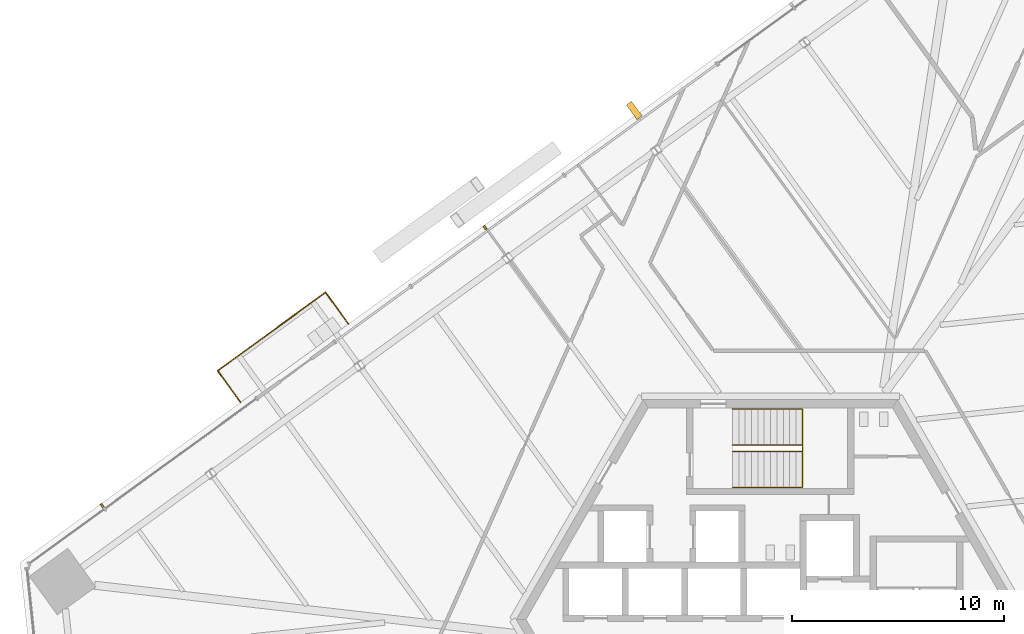
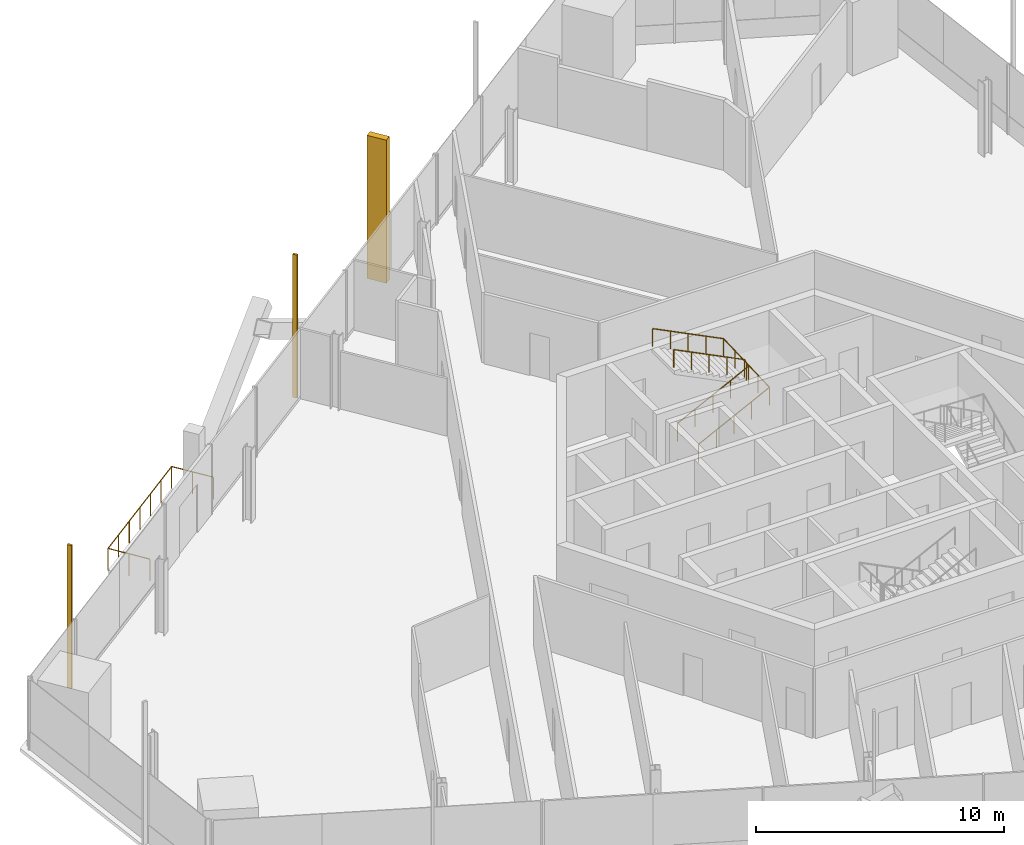
# One storey, part 17 of 21: 3 railings, 3 shading devices.
"""IFC4 building model written with IfcOpenShell, lengths in metres."""

from ifc_helpers import new_model, si_unit, direction, frame, origin, origin_2d, place, context, subcontext, project, spatial, rectangle, circle, extrude, source, transform, mapped, material, type_object, element, save


model = new_model("IFC4")

# Units and contexts
model_context = context("Model", 3, precision=1e-05, world=origin(), true_north=direction((0.0, 1.0)))
body_context = subcontext(model_context, "Body", "Model", "MODEL_VIEW")
ifc_project = project(units=[si_unit("LENGTHUNIT", "METRE"), si_unit("AREAUNIT", "SQUARE_METRE"), si_unit("VOLUMEUNIT", "CUBIC_METRE"), si_unit("PLANEANGLEUNIT", "RADIAN"), si_unit("MASSUNIT", "GRAM", prefix="KILO")], contexts=[model_context])

# Site, building, storey
site_placement = place(None, origin())
site = spatial("IfcSite", under=ifc_project, at=site_placement, CompositionType="ELEMENT")
building_placement = place(site_placement, origin())
building = spatial("IfcBuilding", under=site, at=building_placement, Name="Triune Harvest Tower", CompositionType="ELEMENT")
storey_placement = place(building_placement, frame((0.0, 0.0, 72.89990234375)))
storey = spatial("IfcBuildingStorey", under=building, at=storey_placement, Name="L17", CompositionType="ELEMENT", Elevation=72.89990234375)

# Railings
ifc_material_1 = material(Name="Stainless steel AISI 316", Category="steel")
railing_type_1 = type_object("IfcRailingType", Name="Stair handrail", PredefinedType="HANDRAIL", material=ifc_material_1)
shared_shape_1 = source(origin(), body_context, "Body", "SweptSolid", [
    extrude(circle(Radius=0.02392578125, at=origin_2d()), frame((0.0, 0.0, 0.8759765625), z_axis=(0.894440424912, 0.0, 0.447187126696), x_axis=(0.0, 1.0, 0.0)), (0.0, 0.0, 1.0), 3.689453125),
    extrude(circle(Radius=0.02392578125, at=origin_2d()), frame((3.300048828125, 0.0, 2.52587890625), z_axis=(0.0, 0.999177620331, 0.040547293732), x_axis=(-1.0, 0.0, 0.0)), (0.0, 0.0, 1.0), 3.702880859375),
    extrude(circle(Radius=0.02392578125, at=origin_2d()), frame((3.300048828125, 3.699951171875, 2.67578125), z_axis=(-0.894440424912, 0.0, 0.447187126696), x_axis=(0.0, -1.0, 0.0)), (0.0, 0.0, 1.0), 3.689453125),
    extrude(circle(Radius=0.02099609375, at=origin_2d()), origin(), (0.0, 0.0, 1.0), 0.851806640625),
    extrude(circle(Radius=0.02099609375, at=origin_2d()), frame((0.824951171875, 0.0, 0.41259765625)), (0.0, 0.0, 1.0), 0.851806640625),
    extrude(circle(Radius=0.02099609375, at=origin_2d()), frame((1.64990234375, 0.0, 0.824951171875)), (0.0, 0.0, 1.0), 0.851806640625),
    extrude(circle(Radius=0.02099609375, at=origin_2d()), frame((2.47509765625, 0.0, 1.2373046875)), (0.0, 0.0, 1.0), 0.851806640625),
    extrude(circle(Radius=0.02099609375, at=origin_2d()), frame((3.300048828125, 0.0, 1.64990234375)), (0.0, 0.0, 1.0), 0.851806640625),
    extrude(circle(Radius=0.02099609375, at=origin_2d()), frame((3.300048828125, 0.925048828125, 1.6875)), (0.0, 0.0, 1.0), 0.851806640625),
    extrude(circle(Radius=0.02099609375, at=origin_2d()), frame((3.300048828125, 1.85009765625, 1.72509765625)), (0.0, 0.0, 1.0), 0.851806640625),
    extrude(circle(Radius=0.02099609375, at=origin_2d()), frame((3.300048828125, 2.77490234375, 1.762451171875)), (0.0, 0.0, 1.0), 0.851806640625),
    extrude(circle(Radius=0.02099609375, at=origin_2d()), frame((3.300048828125, 3.699951171875, 1.800048828125)), (0.0, 0.0, 1.0), 0.851806640625),
    extrude(circle(Radius=0.02099609375, at=origin_2d()), frame((2.47509765625, 3.699951171875, 2.21240234375)), (0.0, 0.0, 1.0), 0.851806640625),
    extrude(circle(Radius=0.02099609375, at=origin_2d()), frame((1.64990234375, 3.699951171875, 2.625)), (0.0, 0.0, 1.0), 0.851806640625),
    extrude(circle(Radius=0.02099609375, at=origin_2d()), frame((0.824951171875, 3.699951171875, 3.03759765625)), (0.0, 0.0, 1.0), 0.851806640625),
    extrude(circle(Radius=0.02099609375, at=origin_2d()), frame((0.0, 3.699951171875, 3.449951171875)), (0.0, 0.0, 1.0), 0.851806640625),
])
railing_1_placement = place(storey_placement, frame((-1.7900390625, 6.239990234375, 0.150146484375)))
element("IfcRailing", 1, at=railing_1_placement, inside=storey, type_object=railing_type_1, Name="Exit stair north wall handrail", PredefinedType="HANDRAIL", context=body_context, shape_type="MappedRepresentation", body=[
    mapped(shared_shape_1, transform((0.0, 0.0, 0.0), scale=1.0)),
])
shared_shape_2 = source(origin(), body_context, "Body", "SweptSolid", [
    extrude(circle(Radius=0.02392578125, at=origin_2d()), frame((0.0, 0.0, 0.8759765625), z_axis=(0.894440424912, 0.0, 0.447187126696), x_axis=(0.0, 1.0, 0.0)), (0.0, 0.0, 1.0), 3.689453125),
    extrude(circle(Radius=0.02392578125, at=origin_2d()), frame((3.300048828125, 0.0, 2.52587890625), z_axis=(0.0, 0.894281613681, 0.447504631744), x_axis=(-1.0, 0.0, 0.0)), (0.0, 0.0, 1.0), 0.33544921875),
    extrude(circle(Radius=0.02392578125, at=origin_2d()), frame((3.300048828125, 0.300048828125, 2.67578125), z_axis=(-0.894440424912, 0.0, 0.447187126696), x_axis=(0.0, -1.0, 0.0)), (0.0, 0.0, 1.0), 3.689453125),
    extrude(circle(Radius=0.02099609375, at=origin_2d()), origin(), (0.0, 0.0, 1.0), 0.851806640625),
    extrude(circle(Radius=0.02099609375, at=origin_2d()), frame((0.824951171875, 0.0, 0.41259765625)), (0.0, 0.0, 1.0), 0.851806640625),
    extrude(circle(Radius=0.02099609375, at=origin_2d()), frame((1.64990234375, 0.0, 0.824951171875)), (0.0, 0.0, 1.0), 0.851806640625),
    extrude(circle(Radius=0.02099609375, at=origin_2d()), frame((2.47509765625, 0.0, 1.2373046875)), (0.0, 0.0, 1.0), 0.851806640625),
    extrude(circle(Radius=0.02099609375, at=origin_2d()), frame((3.300048828125, 0.0, 1.64990234375)), (0.0, 0.0, 1.0), 0.851806640625),
    extrude(circle(Radius=0.02099609375, at=origin_2d()), frame((3.300048828125, 0.300048828125, 1.800048828125)), (0.0, 0.0, 1.0), 0.851806640625),
    extrude(circle(Radius=0.02099609375, at=origin_2d()), frame((2.47509765625, 0.300048828125, 2.21240234375)), (0.0, 0.0, 1.0), 0.851806640625),
    extrude(circle(Radius=0.02099609375, at=origin_2d()), frame((1.64990234375, 0.300048828125, 2.625)), (0.0, 0.0, 1.0), 0.851806640625),
    extrude(circle(Radius=0.02099609375, at=origin_2d()), frame((0.824951171875, 0.300048828125, 3.03759765625)), (0.0, 0.0, 1.0), 0.851806640625),
    extrude(circle(Radius=0.02099609375, at=origin_2d()), frame((0.0, 0.300048828125, 3.449951171875)), (0.0, 0.0, 1.0), 0.851806640625),
])
railing_2_placement = place(storey_placement, frame((-1.7900390625, 7.93994140625, 0.150146484375)))
element("IfcRailing", 2, at=railing_2_placement, inside=storey, type_object=railing_type_1, Name="Exit stair north centre handrail", PredefinedType="HANDRAIL", context=body_context, shape_type="MappedRepresentation", body=[
    mapped(shared_shape_2, transform((0.0, 0.0, 0.0), scale=1.0)),
])

# Shading devices
ifc_material_2 = material(Name="Aluminium bronze anodised", Category="aluminium")
shared_shape_3 = source(origin(), body_context, "Body", "SweptSolid", [
    extrude(rectangle(XDim=0.10009765625, YDim=0.199951171875, at=origin_2d()), origin(), (0.0, 0.0, 1.0), 7.0400390625),
])
for number, where, z_axis, x_axis, name in (
    (3, (-13.47705078125, 18.511474609375, 0.0), (0.0, 0.0, 1.0), (-0.809017013446, -0.587785226043, 0.0), "FN-1 fin B2-F3.7 L17"),
    (4, (-31.554931640625, 5.377197265625, 0.0), (0.0, 0.0, 1.0), (-0.809017013446, -0.587785226043, 0.0), "FN-1 fin B2-F3.12 L17"),
):
    element("IfcShadingDevice", number, at=place(storey_placement, frame(where, z_axis=z_axis, x_axis=x_axis)), inside=storey, material=ifc_material_2, Name=name, ObjectType="FIN", PredefinedType="USERDEFINED", context=body_context, shape_type="MappedRepresentation", body=[
        mapped(shared_shape_3, transform((0.0, 0.0, 0.0), scale=1.0)),
    ])
shared_shape_4 = source(origin(), body_context, "Body", "SweptSolid", [
    extrude(rectangle(XDim=0.300048828125, YDim=0.85009765625, at=origin_2d()), origin(), (0.0, 0.0, 1.0), 7.0400390625),
])
shading_device_placement = place(storey_placement, frame((-6.4287109375, 24.0341796875, 0.0), z_axis=(0.0, 0.0, 1.0), x_axis=(-0.809017013446, -0.587785226043, 0.0)))
element("IfcShadingDevice", 5, at=shading_device_placement, inside=storey, material=ifc_material_2, Name="FN-2 fin B2-F3.5 L17", ObjectType="FIN", PredefinedType="USERDEFINED", context=body_context, shape_type="MappedRepresentation", body=[
    mapped(shared_shape_4, transform((0.0, 0.0, 0.0), scale=1.0)),
])

# Railing
ifc_material_3 = material(Name="Glass", Category="glass")
railing_type_2 = type_object("IfcRailingType", Name="GD-2 balcony guard 1100", PredefinedType="GUARDRAIL", material=ifc_material_3)
shared_shape_5 = source(origin(), body_context, "Body", "SweptSolid", [
    extrude(circle(Radius=0.02392578125, at=origin_2d()), frame((0.0, 0.0, 1.076171875), z_axis=(-0.587754546485, 0.809039302559, 0.0), x_axis=(-0.809039302559, -0.587754546485, 0.0)), (0.0, 0.0, 1.0), 1.8447265625),
    extrude(circle(Radius=0.02392578125, at=origin_2d()), frame((-1.084228515625, 1.492431640625, 1.076171875), z_axis=(-0.809029173317, -0.587768489052, 0.0), x_axis=(0.587768489052, -0.809029173317, 0.0)), (0.0, 0.0, 1.0), 6.301513671875),
    extrude(circle(Radius=0.02392578125, at=origin_2d()), frame((-6.182373046875, -2.21142578125, 1.076171875), z_axis=(0.587754546485, -0.809039302559, 0.0), x_axis=(0.809039302559, 0.587754546485, 0.0)), (0.0, 0.0, 1.0), 1.8447265625),
    extrude(circle(Radius=0.02099609375, at=origin_2d()), origin(), (0.0, 0.0, 1.0), 1.052001953125),
    extrude(circle(Radius=0.02099609375, at=origin_2d()), frame((-0.5419921875, 0.74609375, 0.0)), (0.0, 0.0, 1.0), 1.052001953125),
    extrude(circle(Radius=0.02099609375, at=origin_2d()), frame((-1.084228515625, 1.492431640625, 0.0)), (0.0, 0.0, 1.0), 1.052001953125),
    extrude(circle(Radius=0.02099609375, at=origin_2d()), frame((-1.933837890625, 0.875, 0.0)), (0.0, 0.0, 1.0), 1.052001953125),
    extrude(circle(Radius=0.02099609375, at=origin_2d()), frame((-2.78369140625, 0.2578125, 0.0)), (0.0, 0.0, 1.0), 1.052001953125),
    extrude(circle(Radius=0.02099609375, at=origin_2d()), frame((-3.63330078125, -0.359375, 0.0)), (0.0, 0.0, 1.0), 1.052001953125),
    extrude(circle(Radius=0.02099609375, at=origin_2d()), frame((-4.48291015625, -0.976806640625, 0.0)), (0.0, 0.0, 1.0), 1.052001953125),
    extrude(circle(Radius=0.02099609375, at=origin_2d()), frame((-5.332763671875, -1.59423828125, 0.0)), (0.0, 0.0, 1.0), 1.052001953125),
    extrude(circle(Radius=0.02099609375, at=origin_2d()), frame((-6.182373046875, -2.21142578125, 0.0)), (0.0, 0.0, 1.0), 1.052001953125),
    extrude(circle(Radius=0.02099609375, at=origin_2d()), frame((-5.64013671875, -2.95751953125, 0.0)), (0.0, 0.0, 1.0), 1.052001953125),
    extrude(circle(Radius=0.02099609375, at=origin_2d()), frame((-5.09814453125, -3.703857421875, 0.0)), (0.0, 0.0, 1.0), 1.052001953125),
])
railing_3_placement = place(storey_placement, frame((-19.9189453125, 13.954833984375, 0.0)))
element("IfcRailing", 6, at=railing_3_placement, inside=storey, type_object=railing_type_2, Name="Balcony guard B2-F3 L17.9", PredefinedType="GUARDRAIL", context=body_context, shape_type="MappedRepresentation", body=[
    mapped(shared_shape_5, transform((0.0, 0.0, 0.0), scale=1.0)),
])

save(model, "model.ifc")
